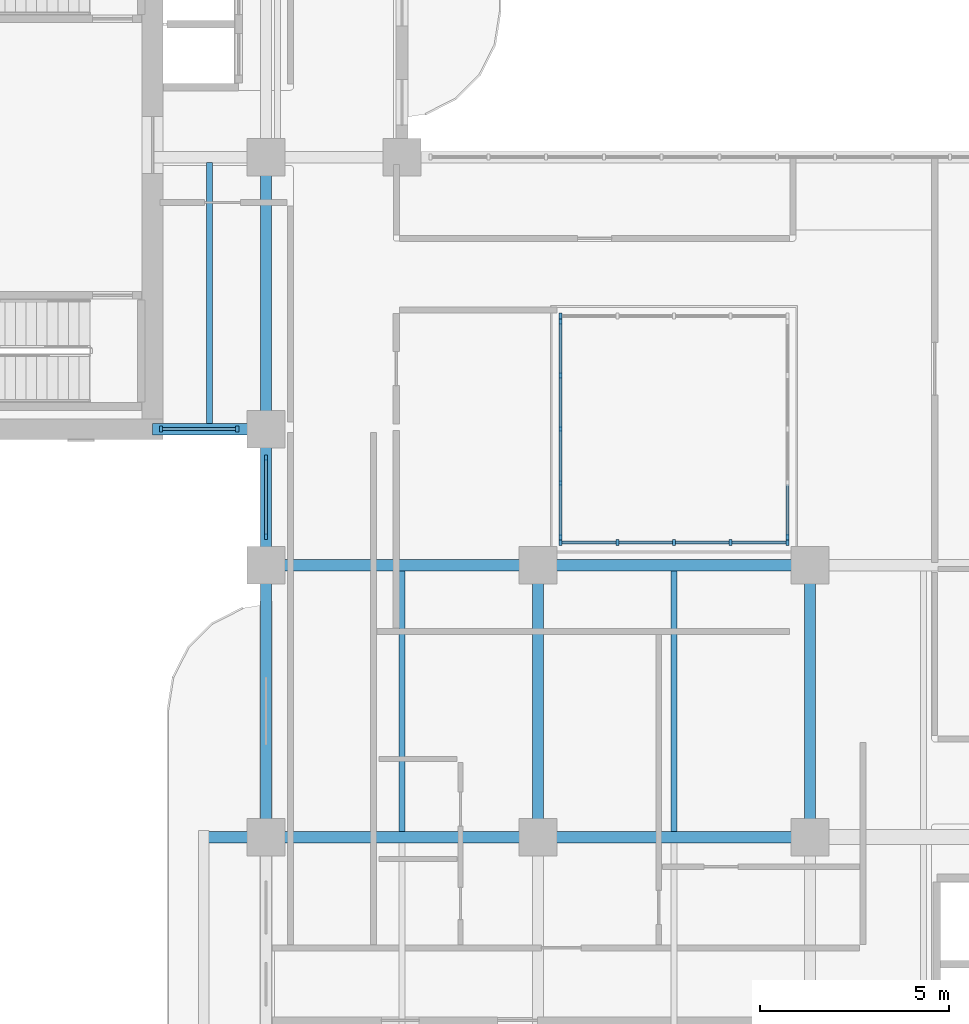
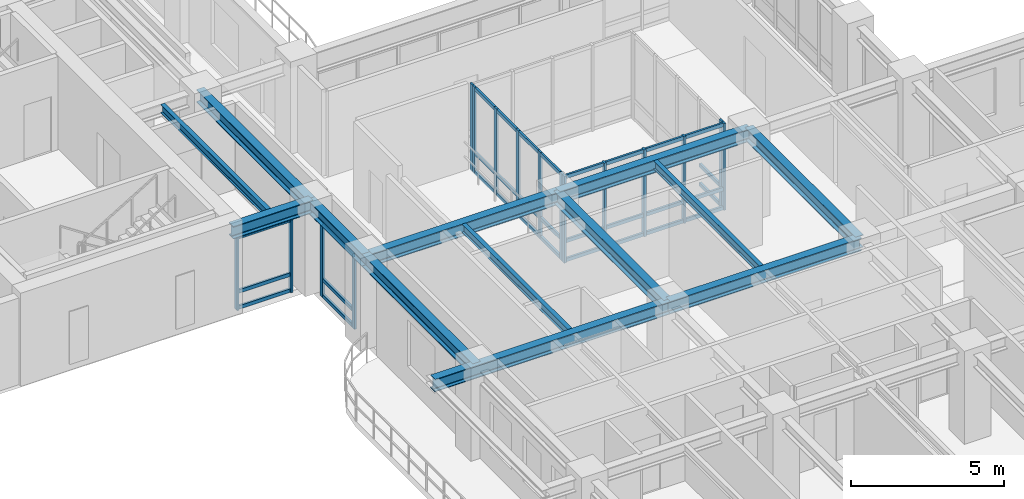
# One storey, part 2 of 20: 48 members, 13 beams, 6 elements without a shape of their own.
"""IFC4 building model written with IfcOpenShell, lengths in metres."""

from ifc_helpers import new_model, si_unit, derived_unit, direction, frame, origin, origin_2d, place, context, subcontext, project, spatial, rectangle, i_section, extrude, source, transform, mapped, material, layer, layer_set, material_profile, profile_set, type_object, type_shapes, element, aggregate, save


model = new_model("IFC4")

# Units and contexts
model_context = context("Model", 3, precision=1e-05, world=origin(), true_north=direction((0.0, 1.0)))
body_context = subcontext(model_context, "Body", "Model", "MODEL_VIEW")
ifc_project = project(units=[si_unit("LENGTHUNIT", "METRE"), si_unit("AREAUNIT", "SQUARE_METRE"), si_unit("VOLUMEUNIT", "CUBIC_METRE"), si_unit("PLANEANGLEUNIT", "RADIAN"), si_unit("MASSUNIT", "GRAM", prefix="KILO"), si_unit("THERMODYNAMICTEMPERATUREUNIT", "KELVIN"), si_unit("POWERUNIT", "WATT"), derived_unit("THERMALTRANSMITTANCEUNIT", [(si_unit("POWERUNIT", "WATT"), 1), (si_unit("AREAUNIT", "SQUARE_METRE"), -1), (si_unit("THERMODYNAMICTEMPERATUREUNIT", "KELVIN"), -1)])], contexts=[model_context])

# Site, building, storey
site_placement = place(None, origin())
site = spatial("IfcSite", under=ifc_project, at=site_placement, CompositionType="ELEMENT")
building_placement = place(site_placement, origin())
building = spatial("IfcBuilding", under=site, at=building_placement, Name="Zahravan Archway Hotel and Residences", CompositionType="ELEMENT")
storey_placement = place(building_placement, frame((0.0, 0.0, 130.300048828125)))
storey = spatial("IfcBuildingStorey", under=building, at=storey_placement, Name="L32", CompositionType="ELEMENT", Elevation=130.300048828125)

# Beams
ifc_material_1 = material(Name="Structural Steel S355JR", Category="steel")
ifc_material_profile_1 = material_profile(ifc_material_1, i_section(OverallWidth=0.300048828125, OverallDepth=0.5, WebThickness=0.014404296875, FlangeThickness=0.028076171875, FilletRadius=0.027099609375, at=origin_2d()), Name="HEB 500", Category="steel")
ifc_profile_set_1 = profile_set([ifc_material_profile_1], Name="Structural Steel S355JR")
beam_type_1 = type_object("IfcBeamType", Name="BM-PRI-HEB500", PredefinedType="BEAM", material=ifc_profile_set_1)
shared_shape_1 = source(origin(), body_context, "Body", "SweptSolid", [
    extrude(i_section(OverallWidth=0.300048828125, OverallDepth=0.5, WebThickness=0.014404296875, FlangeThickness=0.028076171875, FilletRadius=0.027099609375, at=origin_2d()), origin(), (0.0, 0.0, 1.0), 7.2001953125),
])
type_shapes(beam_type_1, [shared_shape_1])
for number, where, z_axis, x_axis, name in (
    (1, (14.39990234375, 21.60009765625, 3.199951171875), (1.0, 0.0, 0.0), (0.0, 1.0, 0.0), "L32 Primary Girder EW-11"),
    (2, (14.39990234375, 14.39990234375, 3.199951171875), (0.0, 1.0, 0.0), (-1.0, 0.0, 0.0), "L32 Primary Girder NS-30"),
    (3, (21.60009765625, 14.39990234375, 3.199951171875), (0.0, 1.0, 0.0), (-1.0, 0.0, 0.0), "L32 Primary Girder NS-37"),
    (4, (28.800048828125, 14.39990234375, 3.199951171875), (0.0, 1.0, 0.0), (-1.0, 0.0, 0.0), "L32 Primary Girder NS-40"),
):
    element("IfcBeam", number, at=place(storey_placement, frame(where, z_axis=z_axis, x_axis=x_axis)), inside=storey, type_object=beam_type_1, Name=name, PredefinedType="BEAM", context=body_context, shape_type="MappedRepresentation", body=[
        mapped(shared_shape_1, transform((0.0, 0.0, 0.0), scale=1.0)),
    ])
shared_shape_2 = source(origin(), body_context, "Body", "SweptSolid", [
    extrude(i_section(OverallWidth=0.300048828125, OverallDepth=0.5, WebThickness=0.014404296875, FlangeThickness=0.028076171875, FilletRadius=0.027099609375, at=origin_2d()), origin(), (0.0, 0.0, 1.0), 7.199951171875),
])
for number, where, z_axis, x_axis, name in (
    (5, (21.60009765625, 14.39990234375, 3.199951171875), (1.0, 0.0, 0.0), (0.0, 1.0, 0.0), "L32 Primary Girder EW-10"),
    (6, (21.60009765625, 21.60009765625, 3.199951171875), (1.0, 0.0, 0.0), (0.0, 1.0, 0.0), "L32 Primary Girder EW-12"),
    (7, (14.39990234375, 25.199951171875, 3.199951171875), (0.0, 1.0, 0.0), (-1.0, 0.0, 0.0), "L32 Primary Girder NS-32"),
):
    element("IfcBeam", number, at=place(storey_placement, frame(where, z_axis=z_axis, x_axis=x_axis)), inside=storey, type_object=beam_type_1, Name=name, PredefinedType="BEAM", context=body_context, shape_type="MappedRepresentation", body=[
        mapped(shared_shape_2, transform((0.0, 0.0, 0.0), scale=1.0)),
    ])
shared_shape_3 = source(origin(), body_context, "Body", "SweptSolid", [
    extrude(i_section(OverallWidth=0.300048828125, OverallDepth=0.5, WebThickness=0.014404296875, FlangeThickness=0.028076171875, FilletRadius=0.027099609375, at=origin_2d()), origin(), (0.0, 0.0, 1.0), 3.0),
])
beam_1_placement = place(storey_placement, frame((11.39990234375, 25.199951171875, 3.199951171875), z_axis=(1.0, 0.0, 0.0), x_axis=(0.0, 1.0, 0.0)))
element("IfcBeam", 8, at=beam_1_placement, inside=storey, type_object=beam_type_1, Name="L32 Primary Girder EW-16", PredefinedType="BEAM", context=body_context, shape_type="MappedRepresentation", body=[
    mapped(shared_shape_3, transform((0.0, 0.0, 0.0), scale=1.0)),
])
shared_shape_4 = source(origin(), body_context, "Body", "SweptSolid", [
    extrude(i_section(OverallWidth=0.300048828125, OverallDepth=0.5, WebThickness=0.014404296875, FlangeThickness=0.028076171875, FilletRadius=0.027099609375, at=origin_2d()), origin(), (0.0, 0.0, 1.0), 3.599853515625),
])
beam_2_placement = place(storey_placement, frame((14.39990234375, 21.60009765625, 3.199951171875), z_axis=(0.0, 1.0, 0.0), x_axis=(-1.0, 0.0, 0.0)))
element("IfcBeam", 9, at=beam_2_placement, inside=storey, type_object=beam_type_1, Name="L32 Primary Girder NS-31", PredefinedType="BEAM", context=body_context, shape_type="MappedRepresentation", body=[
    mapped(shared_shape_4, transform((0.0, 0.0, 0.0), scale=1.0)),
])
ifc_material_profile_2 = material_profile(ifc_material_1, i_section(OverallWidth=0.159912109375, OverallDepth=0.330078125, WebThickness=0.007568359375, FlangeThickness=0.011474609375, FilletRadius=0.01806640625, at=origin_2d()), Name="IPE 330", Category="steel")
ifc_profile_set_2 = profile_set([ifc_material_profile_2], Name="Structural Steel S355JR")
beam_type_2 = type_object("IfcBeamType", Name="BM-JST-IPE330", PredefinedType="JOIST", material=ifc_profile_set_2)
shared_shape_5 = source(origin(), body_context, "Body", "SweptSolid", [
    extrude(i_section(OverallWidth=0.159912109375, OverallDepth=0.330078125, WebThickness=0.007568359375, FlangeThickness=0.011474609375, FilletRadius=0.01806640625, at=origin_2d()), origin(), (0.0, 0.0, 1.0), 6.904052734375),
])
type_shapes(beam_type_2, [shared_shape_5])
beam_3_placement = place(storey_placement, frame((12.89990234375, 25.347900390625, 3.284912109375), z_axis=(0.0, 1.0, 0.0), x_axis=(-1.0, 0.0, 0.0)))
element("IfcBeam", 10, at=beam_3_placement, inside=storey, type_object=beam_type_2, Name="L32 Composite Floor Joist 10", PredefinedType="JOIST", context=body_context, shape_type="MappedRepresentation", body=[
    mapped(shared_shape_5, transform((0.0, 0.0, 0.0), scale=1.0)),
])
shared_shape_6 = source(origin(), body_context, "Body", "SweptSolid", [
    extrude(i_section(OverallWidth=0.159912109375, OverallDepth=0.330078125, WebThickness=0.007568359375, FlangeThickness=0.011474609375, FilletRadius=0.01806640625, at=origin_2d()), origin(), (0.0, 0.0, 1.0), 6.90380859375),
])
for number, where, z_axis, x_axis, name in (
    (11, (18.0, 14.548095703125, 3.284912109375), (0.0, 1.0, 0.0), (-1.0, 0.0, 0.0), "L32 Composite Floor Joist 08"),
    (12, (25.199951171875, 14.548095703125, 3.284912109375), (0.0, 1.0, 0.0), (-1.0, 0.0, 0.0), "L32 Composite Floor Joist 09"),
):
    element("IfcBeam", number, at=place(storey_placement, frame(where, z_axis=z_axis, x_axis=x_axis)), inside=storey, type_object=beam_type_2, Name=name, PredefinedType="JOIST", context=body_context, shape_type="MappedRepresentation", body=[
        mapped(shared_shape_6, transform((0.0, 0.0, 0.0), scale=1.0)),
    ])
shared_shape_7 = source(origin(), body_context, "Body", "SweptSolid", [
    extrude(i_section(OverallWidth=0.300048828125, OverallDepth=0.5, WebThickness=0.014404296875, FlangeThickness=0.028076171875, FilletRadius=0.027099609375, at=origin_2d()), origin(), (0.0, 0.0, 1.0), 8.85009765625),
])
beam_4_placement = place(storey_placement, frame((12.75, 14.39990234375, 3.199951171875), z_axis=(1.0, 0.0, 0.0), x_axis=(0.0, 1.0, 0.0)))
element("IfcBeam", 13, at=beam_4_placement, inside=storey, type_object=beam_type_1, Name="L32 Primary Girder EW-09", PredefinedType="BEAM", context=body_context, shape_type="MappedRepresentation", body=[
    mapped(shared_shape_7, transform((0.0, 0.0, 0.0), scale=1.0)),
])

# Curtain wall, members
ifc_material_2 = material(Name="Bronze-Anodized Unitised Aluminium & Low-E Glass", Category="aluminium")
ifc_layer = layer(ifc_material_2, 0.179931640625, Name="Bronze-Anodized Unitised Aluminium & Low-E Glass", Category="aluminium")
ifc_layer_set = layer_set([ifc_layer], Name="Bronze-Anodized Unitised Aluminium & Low-E Glass")
curtain_wall_type = type_object("IfcCurtainWallType", Name="CW-ATR-GLAZ", PredefinedType="NOTDEFINED", material=ifc_layer_set)
curtain_wall_1_placement = place(storey_placement, origin())
curtain_wall_1 = element("IfcCurtainWall", 14, at=curtain_wall_1_placement, inside=storey, type_object=curtain_wall_type, Name="L32 Curtain Wall CW-L32-WB-SE-1", PredefinedType="NOTDEFINED")
ifc_material_3 = material(Name="Bronze-Anodized Extruded Aluminium", Category="aluminium")
ifc_material_profile_3 = material_profile(ifc_material_3, rectangle(XDim=0.080078125, YDim=0.139892578125, at=origin_2d()), Name="TRN 80x140", Category="aluminium")
ifc_profile_set_3 = profile_set([ifc_material_profile_3], Name="Bronze-Anodized Extruded Aluminium")
member_type_1 = type_object("IfcMemberType", Name="CWM-TRN-140", PredefinedType="USERDEFINED", material=ifc_profile_set_3)
shared_shape_8 = source(origin(), body_context, "Body", "SweptSolid", [
    extrude(rectangle(XDim=0.080078125, YDim=0.139892578125, at=origin_2d()), origin(), (0.0, 0.0, 1.0), 1.940185546875),
])
member_1_placement = place(storey_placement, frame((11.659912109375, 25.199951171875, 0.070068359375), z_axis=(1.0, 0.0, 0.0), x_axis=(0.0, 1.0, 0.0)))
member_1 = element("IfcMember", 15, at=member_1_placement, type_object=member_type_1, Name="CW-L32-WB-SE-1 Transom 0-1", ObjectType="TRANSOM", PredefinedType="USERDEFINED", context=body_context, shape_type="MappedRepresentation", body=[
    mapped(shared_shape_8, transform((0.0, 0.0, 0.0), scale=1.0)),
])
member_2_placement = place(storey_placement, frame((11.659912109375, 25.199951171875, 0.704345703125), z_axis=(1.0, 0.0, 0.0), x_axis=(0.0, 1.0, 0.0)))
member_2 = element("IfcMember", 16, at=member_2_placement, type_object=member_type_1, Name="CW-L32-WB-SE-1 Transom 0-2", ObjectType="TRANSOM", PredefinedType="USERDEFINED", context=body_context, shape_type="MappedRepresentation", body=[
    mapped(shared_shape_8, transform((0.0, 0.0, 0.0), scale=1.0)),
])
member_3_placement = place(storey_placement, frame((11.659912109375, 25.199951171875, 2.864990234375), z_axis=(1.0, 0.0, 0.0), x_axis=(0.0, 1.0, 0.0)))
member_3 = element("IfcMember", 17, at=member_3_placement, type_object=member_type_1, Name="CW-L32-WB-SE-1 Transom 0-3", ObjectType="TRANSOM", PredefinedType="USERDEFINED", context=body_context, shape_type="MappedRepresentation", body=[
    mapped(shared_shape_8, transform((0.0, 0.0, 0.0), scale=1.0)),
])

curtain_wall_2_placement = place(storey_placement, origin())
curtain_wall_2 = element("IfcCurtainWall", 18, at=curtain_wall_2_placement, inside=storey, type_object=curtain_wall_type, Name="L32 Curtain Wall CW-L32-WA-WLU-1", PredefinedType="NOTDEFINED")
shared_shape_9 = source(origin(), body_context, "Body", "SweptSolid", [
    extrude(rectangle(XDim=0.080078125, YDim=0.139892578125, at=origin_2d()), origin(), (0.0, 0.0, 1.0), 2.0),
])
member_4_placement = place(storey_placement, frame((14.39990234375, 22.39990234375, 0.070068359375), z_axis=(0.0, 1.0, 0.0), x_axis=(-1.0, 0.0, 0.0)))
member_4 = element("IfcMember", 19, at=member_4_placement, type_object=member_type_1, Name="CW-L32-WA-WLU-1 Transom 0-1", ObjectType="TRANSOM", PredefinedType="USERDEFINED", context=body_context, shape_type="MappedRepresentation", body=[
    mapped(shared_shape_9, transform((0.0, 0.0, 0.0), scale=1.0)),
])
member_5_placement = place(storey_placement, frame((14.39990234375, 22.39990234375, 0.704345703125), z_axis=(0.0, 1.0, 0.0), x_axis=(-1.0, 0.0, 0.0)))
member_5 = element("IfcMember", 20, at=member_5_placement, type_object=member_type_1, Name="CW-L32-WA-WLU-1 Transom 0-2", ObjectType="TRANSOM", PredefinedType="USERDEFINED", context=body_context, shape_type="MappedRepresentation", body=[
    mapped(shared_shape_9, transform((0.0, 0.0, 0.0), scale=1.0)),
])
member_6_placement = place(storey_placement, frame((14.39990234375, 22.39990234375, 2.864990234375), z_axis=(0.0, 1.0, 0.0), x_axis=(-1.0, 0.0, 0.0)))
member_6 = element("IfcMember", 21, at=member_6_placement, type_object=member_type_1, Name="CW-L32-WA-WLU-1 Transom 0-3", ObjectType="TRANSOM", PredefinedType="USERDEFINED", context=body_context, shape_type="MappedRepresentation", body=[
    mapped(shared_shape_9, transform((0.0, 0.0, 0.0), scale=1.0)),
])

curtain_wall_3_placement = place(storey_placement, origin())
curtain_wall_3 = element("IfcCurtainWall", 22, at=curtain_wall_3_placement, inside=storey, type_object=curtain_wall_type, Name="L32 Curtain Wall CW-ATR-L32-S-1", PredefinedType="NOTDEFINED")
ifc_material_profile_4 = material_profile(ifc_material_3, rectangle(XDim=0.080078125, YDim=0.159912109375, at=origin_2d()), Name="MUL 80x160", Category="aluminium")
ifc_profile_set_4 = profile_set([ifc_material_profile_4], Name="Bronze-Anodized Extruded Aluminium")
member_type_2 = type_object("IfcMemberType", Name="CWM-MUL-160", PredefinedType="MULLION", material=ifc_profile_set_4)
shared_shape_10 = source(origin(), body_context, "Body", "SweptSolid", [
    extrude(rectangle(XDim=0.080078125, YDim=0.159912109375, at=origin_2d()), origin(), (0.0, 0.0, 1.0), 3.449951171875),
])
member_7_placement = place(storey_placement, frame((22.199951171875, 22.199951171875, 0.0), z_axis=(0.0, 0.0, 1.0), x_axis=(1.0, 0.0, 0.0)))
member_7 = element("IfcMember", 23, at=member_7_placement, type_object=member_type_2, Name="CW-ATR-L32-S-1 Mullion 0", PredefinedType="MULLION", context=body_context, shape_type="MappedRepresentation", body=[
    mapped(shared_shape_10, transform((0.0, 0.0, 0.0), scale=1.0)),
])
member_8_placement = place(storey_placement, frame((23.699951171875, 22.199951171875, 0.0), z_axis=(0.0, 0.0, 1.0), x_axis=(1.0, 0.0, 0.0)))
member_8 = element("IfcMember", 24, at=member_8_placement, type_object=member_type_2, Name="CW-ATR-L32-S-1 Mullion 1", PredefinedType="MULLION", context=body_context, shape_type="MappedRepresentation", body=[
    mapped(shared_shape_10, transform((0.0, 0.0, 0.0), scale=1.0)),
])
member_9_placement = place(storey_placement, frame((25.199951171875, 22.199951171875, 0.0), z_axis=(0.0, 0.0, 1.0), x_axis=(1.0, 0.0, 0.0)))
member_9 = element("IfcMember", 25, at=member_9_placement, type_object=member_type_2, Name="CW-ATR-L32-S-1 Mullion 2", PredefinedType="MULLION", context=body_context, shape_type="MappedRepresentation", body=[
    mapped(shared_shape_10, transform((0.0, 0.0, 0.0), scale=1.0)),
])
member_10_placement = place(storey_placement, frame((26.699951171875, 22.199951171875, 0.0), z_axis=(0.0, 0.0, 1.0), x_axis=(1.0, 0.0, 0.0)))
member_10 = element("IfcMember", 26, at=member_10_placement, type_object=member_type_2, Name="CW-ATR-L32-S-1 Mullion 3", PredefinedType="MULLION", context=body_context, shape_type="MappedRepresentation", body=[
    mapped(shared_shape_10, transform((0.0, 0.0, 0.0), scale=1.0)),
])
member_11_placement = place(storey_placement, frame((28.199951171875, 22.199951171875, 0.0), z_axis=(0.0, 0.0, 1.0), x_axis=(1.0, 0.0, 0.0)))
member_11 = element("IfcMember", 27, at=member_11_placement, type_object=member_type_2, Name="CW-ATR-L32-S-1 Mullion 4", PredefinedType="MULLION", context=body_context, shape_type="MappedRepresentation", body=[
    mapped(shared_shape_10, transform((0.0, 0.0, 0.0), scale=1.0)),
])

# Curtain wall, member
curtain_wall_4_placement = place(storey_placement, origin())
curtain_wall_4 = element("IfcCurtainWall", 28, at=curtain_wall_4_placement, inside=storey, type_object=curtain_wall_type, Name="L32 Curtain Wall CW-ATR-L32-N-1", PredefinedType="NOTDEFINED")
member_12_placement = place(storey_placement, frame((22.199951171875, 28.199951171875, 0.0), z_axis=(0.0, 0.0, 1.0), x_axis=(1.0, 0.0, 0.0)))
member_12 = element("IfcMember", 29, at=member_12_placement, type_object=member_type_2, Name="CW-ATR-L32-N-1 Mullion 0", PredefinedType="MULLION", context=body_context, shape_type="MappedRepresentation", body=[
    mapped(shared_shape_10, transform((0.0, 0.0, 0.0), scale=1.0)),
])
aggregate(curtain_wall_4, [member_12])

# Curtain wall, members
curtain_wall_5_placement = place(storey_placement, origin())
curtain_wall_5 = element("IfcCurtainWall", 30, at=curtain_wall_5_placement, inside=storey, type_object=curtain_wall_type, Name="L32 Curtain Wall CW-ATR-L32-W-1", PredefinedType="NOTDEFINED")
member_13_placement = place(storey_placement, frame((22.199951171875, 22.35009765625, 0.0), z_axis=(0.0, 0.0, 1.0), x_axis=(1.0, 0.0, 0.0)))
member_13 = element("IfcMember", 31, at=member_13_placement, type_object=member_type_2, Name="CW-ATR-L32-W-1 Mullion 0", PredefinedType="MULLION", context=body_context, shape_type="MappedRepresentation", body=[
    mapped(shared_shape_10, transform((0.0, 0.0, 0.0), scale=1.0)),
])
member_14_placement = place(storey_placement, frame((22.199951171875, 23.77490234375, 0.0), z_axis=(0.0, 0.0, 1.0), x_axis=(1.0, 0.0, 0.0)))
member_14 = element("IfcMember", 32, at=member_14_placement, type_object=member_type_2, Name="CW-ATR-L32-W-1 Mullion 1", PredefinedType="MULLION", context=body_context, shape_type="MappedRepresentation", body=[
    mapped(shared_shape_10, transform((0.0, 0.0, 0.0), scale=1.0)),
])
member_15_placement = place(storey_placement, frame((22.199951171875, 25.199951171875, 0.0), z_axis=(0.0, 0.0, 1.0), x_axis=(1.0, 0.0, 0.0)))
member_15 = element("IfcMember", 33, at=member_15_placement, type_object=member_type_2, Name="CW-ATR-L32-W-1 Mullion 2", PredefinedType="MULLION", context=body_context, shape_type="MappedRepresentation", body=[
    mapped(shared_shape_10, transform((0.0, 0.0, 0.0), scale=1.0)),
])
member_16_placement = place(storey_placement, frame((22.199951171875, 26.625, 0.0), z_axis=(0.0, 0.0, 1.0), x_axis=(1.0, 0.0, 0.0)))
member_16 = element("IfcMember", 34, at=member_16_placement, type_object=member_type_2, Name="CW-ATR-L32-W-1 Mullion 3", PredefinedType="MULLION", context=body_context, shape_type="MappedRepresentation", body=[
    mapped(shared_shape_10, transform((0.0, 0.0, 0.0), scale=1.0)),
])
member_17_placement = place(storey_placement, frame((22.199951171875, 28.050048828125, 0.0), z_axis=(0.0, 0.0, 1.0), x_axis=(1.0, 0.0, 0.0)))
member_17 = element("IfcMember", 35, at=member_17_placement, type_object=member_type_2, Name="CW-ATR-L32-W-1 Mullion 4", PredefinedType="MULLION", context=body_context, shape_type="MappedRepresentation", body=[
    mapped(shared_shape_10, transform((0.0, 0.0, 0.0), scale=1.0)),
])

# Curtain wall, member
curtain_wall_6_placement = place(storey_placement, origin())
curtain_wall_6 = element("IfcCurtainWall", 36, at=curtain_wall_6_placement, inside=storey, type_object=curtain_wall_type, Name="L32 Curtain Wall CW-ATR-L32-E-1", PredefinedType="NOTDEFINED")
member_18_placement = place(storey_placement, frame((28.199951171875, 22.35009765625, 0.0), z_axis=(0.0, 0.0, 1.0), x_axis=(1.0, 0.0, 0.0)))
member_18 = element("IfcMember", 37, at=member_18_placement, type_object=member_type_2, Name="CW-ATR-L32-E-1 Mullion 0", PredefinedType="MULLION", context=body_context, shape_type="MappedRepresentation", body=[
    mapped(shared_shape_10, transform((0.0, 0.0, 0.0), scale=1.0)),
])

# Member
shared_shape_11 = source(origin(), body_context, "Body", "SweptSolid", [
    extrude(rectangle(XDim=0.080078125, YDim=0.139892578125, at=origin_2d()), origin(), (0.0, 0.0, 1.0), 1.419921875),
])
member_19_placement = place(storey_placement, frame((22.239990234375, 22.199951171875, 0.070068359375), z_axis=(1.0, 0.0, 0.0), x_axis=(0.0, 1.0, 0.0)))
member_19 = element("IfcMember", 38, at=member_19_placement, type_object=member_type_1, Name="CW-ATR-L32-S-1 Transom 0-1", ObjectType="TRANSOM", PredefinedType="USERDEFINED", context=body_context, shape_type="MappedRepresentation", body=[
    mapped(shared_shape_11, transform((0.0, 0.0, 0.0), scale=1.0)),
])

member_20_placement = place(storey_placement, frame((22.239990234375, 22.199951171875, 0.827880859375), z_axis=(1.0, 0.0, 0.0), x_axis=(0.0, 1.0, 0.0)))
member_20 = element("IfcMember", 39, at=member_20_placement, type_object=member_type_1, Name="CW-ATR-L32-S-1 Transom 0-2", ObjectType="TRANSOM", PredefinedType="USERDEFINED", context=body_context, shape_type="MappedRepresentation", body=[
    mapped(shared_shape_11, transform((0.0, 0.0, 0.0), scale=1.0)),
])

member_21_placement = place(storey_placement, frame((22.239990234375, 22.199951171875, 3.3798828125), z_axis=(1.0, 0.0, 0.0), x_axis=(0.0, 1.0, 0.0)))
member_21 = element("IfcMember", 40, at=member_21_placement, type_object=member_type_1, Name="CW-ATR-L32-S-1 Transom 0-3", ObjectType="TRANSOM", PredefinedType="USERDEFINED", context=body_context, shape_type="MappedRepresentation", body=[
    mapped(shared_shape_11, transform((0.0, 0.0, 0.0), scale=1.0)),
])

member_22_placement = place(storey_placement, frame((23.739990234375, 22.199951171875, 0.070068359375), z_axis=(1.0, 0.0, 0.0), x_axis=(0.0, 1.0, 0.0)))
member_22 = element("IfcMember", 41, at=member_22_placement, type_object=member_type_1, Name="CW-ATR-L32-S-1 Transom 1-1", ObjectType="TRANSOM", PredefinedType="USERDEFINED", context=body_context, shape_type="MappedRepresentation", body=[
    mapped(shared_shape_11, transform((0.0, 0.0, 0.0), scale=1.0)),
])

member_23_placement = place(storey_placement, frame((23.739990234375, 22.199951171875, 0.827880859375), z_axis=(1.0, 0.0, 0.0), x_axis=(0.0, 1.0, 0.0)))
member_23 = element("IfcMember", 42, at=member_23_placement, type_object=member_type_1, Name="CW-ATR-L32-S-1 Transom 1-2", ObjectType="TRANSOM", PredefinedType="USERDEFINED", context=body_context, shape_type="MappedRepresentation", body=[
    mapped(shared_shape_11, transform((0.0, 0.0, 0.0), scale=1.0)),
])

member_24_placement = place(storey_placement, frame((23.739990234375, 22.199951171875, 3.3798828125), z_axis=(1.0, 0.0, 0.0), x_axis=(0.0, 1.0, 0.0)))
member_24 = element("IfcMember", 43, at=member_24_placement, type_object=member_type_1, Name="CW-ATR-L32-S-1 Transom 1-3", ObjectType="TRANSOM", PredefinedType="USERDEFINED", context=body_context, shape_type="MappedRepresentation", body=[
    mapped(shared_shape_11, transform((0.0, 0.0, 0.0), scale=1.0)),
])

member_25_placement = place(storey_placement, frame((25.239990234375, 22.199951171875, 0.070068359375), z_axis=(1.0, 0.0, 0.0), x_axis=(0.0, 1.0, 0.0)))
member_25 = element("IfcMember", 44, at=member_25_placement, type_object=member_type_1, Name="CW-ATR-L32-S-1 Transom 2-1", ObjectType="TRANSOM", PredefinedType="USERDEFINED", context=body_context, shape_type="MappedRepresentation", body=[
    mapped(shared_shape_11, transform((0.0, 0.0, 0.0), scale=1.0)),
])

member_26_placement = place(storey_placement, frame((25.239990234375, 22.199951171875, 0.827880859375), z_axis=(1.0, 0.0, 0.0), x_axis=(0.0, 1.0, 0.0)))
member_26 = element("IfcMember", 45, at=member_26_placement, type_object=member_type_1, Name="CW-ATR-L32-S-1 Transom 2-2", ObjectType="TRANSOM", PredefinedType="USERDEFINED", context=body_context, shape_type="MappedRepresentation", body=[
    mapped(shared_shape_11, transform((0.0, 0.0, 0.0), scale=1.0)),
])

member_27_placement = place(storey_placement, frame((25.239990234375, 22.199951171875, 3.3798828125), z_axis=(1.0, 0.0, 0.0), x_axis=(0.0, 1.0, 0.0)))
member_27 = element("IfcMember", 46, at=member_27_placement, type_object=member_type_1, Name="CW-ATR-L32-S-1 Transom 2-3", ObjectType="TRANSOM", PredefinedType="USERDEFINED", context=body_context, shape_type="MappedRepresentation", body=[
    mapped(shared_shape_11, transform((0.0, 0.0, 0.0), scale=1.0)),
])

member_28_placement = place(storey_placement, frame((26.739990234375, 22.199951171875, 0.070068359375), z_axis=(1.0, 0.0, 0.0), x_axis=(0.0, 1.0, 0.0)))
member_28 = element("IfcMember", 47, at=member_28_placement, type_object=member_type_1, Name="CW-ATR-L32-S-1 Transom 3-1", ObjectType="TRANSOM", PredefinedType="USERDEFINED", context=body_context, shape_type="MappedRepresentation", body=[
    mapped(shared_shape_11, transform((0.0, 0.0, 0.0), scale=1.0)),
])

member_29_placement = place(storey_placement, frame((26.739990234375, 22.199951171875, 0.827880859375), z_axis=(1.0, 0.0, 0.0), x_axis=(0.0, 1.0, 0.0)))
member_29 = element("IfcMember", 48, at=member_29_placement, type_object=member_type_1, Name="CW-ATR-L32-S-1 Transom 3-2", ObjectType="TRANSOM", PredefinedType="USERDEFINED", context=body_context, shape_type="MappedRepresentation", body=[
    mapped(shared_shape_11, transform((0.0, 0.0, 0.0), scale=1.0)),
])

member_30_placement = place(storey_placement, frame((26.739990234375, 22.199951171875, 3.3798828125), z_axis=(1.0, 0.0, 0.0), x_axis=(0.0, 1.0, 0.0)))
member_30 = element("IfcMember", 49, at=member_30_placement, type_object=member_type_1, Name="CW-ATR-L32-S-1 Transom 3-3", ObjectType="TRANSOM", PredefinedType="USERDEFINED", context=body_context, shape_type="MappedRepresentation", body=[
    mapped(shared_shape_11, transform((0.0, 0.0, 0.0), scale=1.0)),
])

aggregate(curtain_wall_3, [member_7, member_8, member_9, member_10, member_11, member_19, member_20, member_21, member_22, member_23, member_24, member_25, member_26, member_27, member_28, member_29, member_30])

shared_shape_12 = source(origin(), body_context, "Body", "SweptSolid", [
    extrude(rectangle(XDim=0.080078125, YDim=0.139892578125, at=origin_2d()), origin(), (0.0, 0.0, 1.0), 1.34521484375),
])
member_31_placement = place(storey_placement, frame((22.199951171875, 22.389892578125, 0.070068359375), z_axis=(0.0, 1.0, 0.0), x_axis=(-1.0, 0.0, 0.0)))
member_31 = element("IfcMember", 50, at=member_31_placement, type_object=member_type_1, Name="CW-ATR-L32-W-1 Transom 0-1", ObjectType="TRANSOM", PredefinedType="USERDEFINED", context=body_context, shape_type="MappedRepresentation", body=[
    mapped(shared_shape_12, transform((0.0, 0.0, 0.0), scale=1.0)),
])

member_32_placement = place(storey_placement, frame((22.199951171875, 22.389892578125, 0.827880859375), z_axis=(0.0, 1.0, 0.0), x_axis=(-1.0, 0.0, 0.0)))
member_32 = element("IfcMember", 51, at=member_32_placement, type_object=member_type_1, Name="CW-ATR-L32-W-1 Transom 0-2", ObjectType="TRANSOM", PredefinedType="USERDEFINED", context=body_context, shape_type="MappedRepresentation", body=[
    mapped(shared_shape_12, transform((0.0, 0.0, 0.0), scale=1.0)),
])

member_33_placement = place(storey_placement, frame((22.199951171875, 22.389892578125, 3.3798828125), z_axis=(0.0, 1.0, 0.0), x_axis=(-1.0, 0.0, 0.0)))
member_33 = element("IfcMember", 52, at=member_33_placement, type_object=member_type_1, Name="CW-ATR-L32-W-1 Transom 0-3", ObjectType="TRANSOM", PredefinedType="USERDEFINED", context=body_context, shape_type="MappedRepresentation", body=[
    mapped(shared_shape_12, transform((0.0, 0.0, 0.0), scale=1.0)),
])

member_34_placement = place(storey_placement, frame((28.199951171875, 22.389892578125, 0.070068359375), z_axis=(0.0, 1.0, 0.0), x_axis=(-1.0, 0.0, 0.0)))
member_34 = element("IfcMember", 53, at=member_34_placement, type_object=member_type_1, Name="CW-ATR-L32-E-1 Transom 0-1", ObjectType="TRANSOM", PredefinedType="USERDEFINED", context=body_context, shape_type="MappedRepresentation", body=[
    mapped(shared_shape_12, transform((0.0, 0.0, 0.0), scale=1.0)),
])

member_35_placement = place(storey_placement, frame((28.199951171875, 22.389892578125, 0.827880859375), z_axis=(0.0, 1.0, 0.0), x_axis=(-1.0, 0.0, 0.0)))
member_35 = element("IfcMember", 54, at=member_35_placement, type_object=member_type_1, Name="CW-ATR-L32-E-1 Transom 0-2", ObjectType="TRANSOM", PredefinedType="USERDEFINED", context=body_context, shape_type="MappedRepresentation", body=[
    mapped(shared_shape_12, transform((0.0, 0.0, 0.0), scale=1.0)),
])

aggregate(curtain_wall_6, [member_18, member_34, member_35])

shared_shape_13 = source(origin(), body_context, "Body", "SweptSolid", [
    extrude(rectangle(XDim=0.080078125, YDim=0.139892578125, at=origin_2d()), origin(), (0.0, 0.0, 1.0), 1.344970703125),
])
member_36_placement = place(storey_placement, frame((22.199951171875, 23.81494140625, 0.070068359375), z_axis=(0.0, 1.0, 0.0), x_axis=(-1.0, 0.0, 0.0)))
member_36 = element("IfcMember", 55, at=member_36_placement, type_object=member_type_1, Name="CW-ATR-L32-W-1 Transom 1-1", ObjectType="TRANSOM", PredefinedType="USERDEFINED", context=body_context, shape_type="MappedRepresentation", body=[
    mapped(shared_shape_13, transform((0.0, 0.0, 0.0), scale=1.0)),
])

member_37_placement = place(storey_placement, frame((22.199951171875, 23.81494140625, 0.827880859375), z_axis=(0.0, 1.0, 0.0), x_axis=(-1.0, 0.0, 0.0)))
member_37 = element("IfcMember", 56, at=member_37_placement, type_object=member_type_1, Name="CW-ATR-L32-W-1 Transom 1-2", ObjectType="TRANSOM", PredefinedType="USERDEFINED", context=body_context, shape_type="MappedRepresentation", body=[
    mapped(shared_shape_13, transform((0.0, 0.0, 0.0), scale=1.0)),
])

member_38_placement = place(storey_placement, frame((22.199951171875, 23.81494140625, 3.3798828125), z_axis=(0.0, 1.0, 0.0), x_axis=(-1.0, 0.0, 0.0)))
member_38 = element("IfcMember", 57, at=member_38_placement, type_object=member_type_1, Name="CW-ATR-L32-W-1 Transom 1-3", ObjectType="TRANSOM", PredefinedType="USERDEFINED", context=body_context, shape_type="MappedRepresentation", body=[
    mapped(shared_shape_13, transform((0.0, 0.0, 0.0), scale=1.0)),
])

member_39_placement = place(storey_placement, frame((22.199951171875, 25.239990234375, 0.070068359375), z_axis=(0.0, 1.0, 0.0), x_axis=(-1.0, 0.0, 0.0)))
member_39 = element("IfcMember", 58, at=member_39_placement, type_object=member_type_1, Name="CW-ATR-L32-W-1 Transom 2-1", ObjectType="TRANSOM", PredefinedType="USERDEFINED", context=body_context, shape_type="MappedRepresentation", body=[
    mapped(shared_shape_13, transform((0.0, 0.0, 0.0), scale=1.0)),
])

member_40_placement = place(storey_placement, frame((22.199951171875, 25.239990234375, 0.827880859375), z_axis=(0.0, 1.0, 0.0), x_axis=(-1.0, 0.0, 0.0)))
member_40 = element("IfcMember", 59, at=member_40_placement, type_object=member_type_1, Name="CW-ATR-L32-W-1 Transom 2-2", ObjectType="TRANSOM", PredefinedType="USERDEFINED", context=body_context, shape_type="MappedRepresentation", body=[
    mapped(shared_shape_13, transform((0.0, 0.0, 0.0), scale=1.0)),
])

member_41_placement = place(storey_placement, frame((22.199951171875, 25.239990234375, 3.3798828125), z_axis=(0.0, 1.0, 0.0), x_axis=(-1.0, 0.0, 0.0)))
member_41 = element("IfcMember", 60, at=member_41_placement, type_object=member_type_1, Name="CW-ATR-L32-W-1 Transom 2-3", ObjectType="TRANSOM", PredefinedType="USERDEFINED", context=body_context, shape_type="MappedRepresentation", body=[
    mapped(shared_shape_13, transform((0.0, 0.0, 0.0), scale=1.0)),
])

member_42_placement = place(storey_placement, frame((22.199951171875, 26.6650390625, 0.070068359375), z_axis=(0.0, 1.0, 0.0), x_axis=(-1.0, 0.0, 0.0)))
member_42 = element("IfcMember", 61, at=member_42_placement, type_object=member_type_1, Name="CW-ATR-L32-W-1 Transom 3-1", ObjectType="TRANSOM", PredefinedType="USERDEFINED", context=body_context, shape_type="MappedRepresentation", body=[
    mapped(shared_shape_13, transform((0.0, 0.0, 0.0), scale=1.0)),
])

member_43_placement = place(storey_placement, frame((22.199951171875, 26.6650390625, 0.827880859375), z_axis=(0.0, 1.0, 0.0), x_axis=(-1.0, 0.0, 0.0)))
member_43 = element("IfcMember", 62, at=member_43_placement, type_object=member_type_1, Name="CW-ATR-L32-W-1 Transom 3-2", ObjectType="TRANSOM", PredefinedType="USERDEFINED", context=body_context, shape_type="MappedRepresentation", body=[
    mapped(shared_shape_13, transform((0.0, 0.0, 0.0), scale=1.0)),
])

member_44_placement = place(storey_placement, frame((22.199951171875, 26.6650390625, 3.3798828125), z_axis=(0.0, 1.0, 0.0), x_axis=(-1.0, 0.0, 0.0)))
member_44 = element("IfcMember", 63, at=member_44_placement, type_object=member_type_1, Name="CW-ATR-L32-W-1 Transom 3-3", ObjectType="TRANSOM", PredefinedType="USERDEFINED", context=body_context, shape_type="MappedRepresentation", body=[
    mapped(shared_shape_13, transform((0.0, 0.0, 0.0), scale=1.0)),
])

aggregate(curtain_wall_5, [member_13, member_14, member_15, member_16, member_17, member_31, member_32, member_33, member_36, member_37, member_38, member_39, member_40, member_41, member_42, member_43, member_44])

shared_shape_14 = source(origin(), body_context, "Body", "SweptSolid", [
    extrude(rectangle(XDim=0.080078125, YDim=0.159912109375, at=origin_2d()), origin(), (0.0, 0.0, 1.0), 2.93505859375),
])
member_45_placement = place(storey_placement, frame((14.39990234375, 22.360107421875, 0.0), z_axis=(0.0, 0.0, 1.0), x_axis=(1.0, 0.0, 0.0)))
member_45 = element("IfcMember", 64, at=member_45_placement, type_object=member_type_2, Name="CW-L32-WA-WLU-1 Mullion 0", PredefinedType="MULLION", context=body_context, shape_type="MappedRepresentation", body=[
    mapped(shared_shape_14, transform((0.0, 0.0, 0.0), scale=1.0)),
])

member_46_placement = place(storey_placement, frame((14.39990234375, 24.43994140625, 0.0), z_axis=(0.0, 0.0, 1.0), x_axis=(1.0, 0.0, 0.0)))
member_46 = element("IfcMember", 65, at=member_46_placement, type_object=member_type_2, Name="CW-L32-WA-WLU-1 Mullion 1", PredefinedType="MULLION", context=body_context, shape_type="MappedRepresentation", body=[
    mapped(shared_shape_14, transform((0.0, 0.0, 0.0), scale=1.0)),
])

aggregate(curtain_wall_2, [member_45, member_46, member_4, member_5, member_6])

member_47_placement = place(storey_placement, frame((11.6201171875, 25.199951171875, 0.0), z_axis=(0.0, 0.0, 1.0), x_axis=(1.0, 0.0, 0.0)))
member_47 = element("IfcMember", 66, at=member_47_placement, type_object=member_type_2, Name="CW-L32-WB-SE-1 Mullion 0", PredefinedType="MULLION", context=body_context, shape_type="MappedRepresentation", body=[
    mapped(shared_shape_14, transform((0.0, 0.0, 0.0), scale=1.0)),
])

member_48_placement = place(storey_placement, frame((13.639892578125, 25.199951171875, 0.0), z_axis=(0.0, 0.0, 1.0), x_axis=(1.0, 0.0, 0.0)))
member_48 = element("IfcMember", 67, at=member_48_placement, type_object=member_type_2, Name="CW-L32-WB-SE-1 Mullion 1", PredefinedType="MULLION", context=body_context, shape_type="MappedRepresentation", body=[
    mapped(shared_shape_14, transform((0.0, 0.0, 0.0), scale=1.0)),
])

aggregate(curtain_wall_1, [member_47, member_48, member_1, member_2, member_3])

save(model, "model.ifc")
